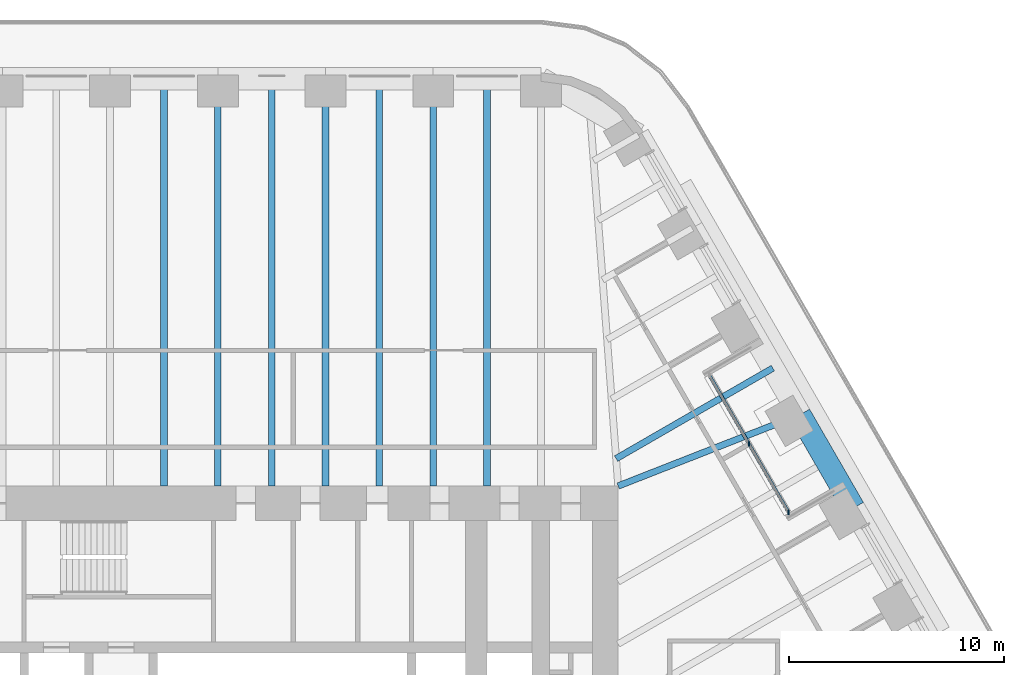
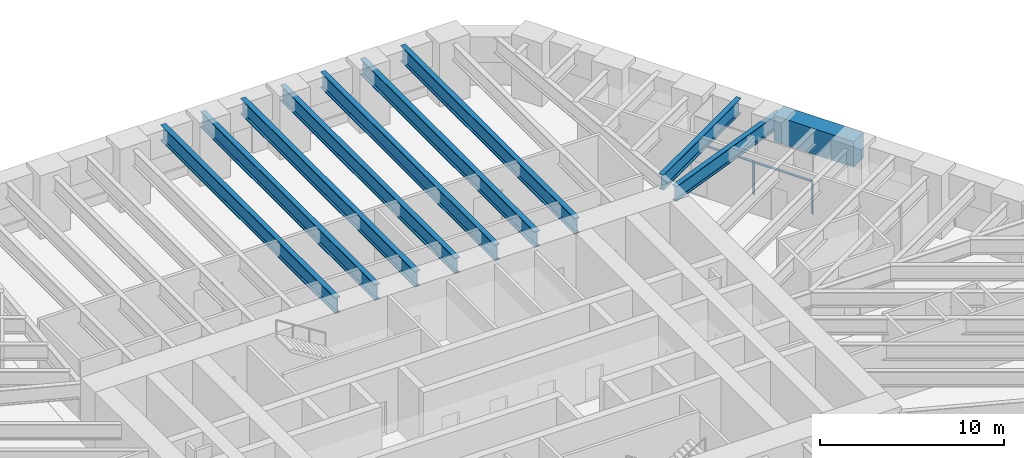
# One storey, part 8 of 19: 10 beams, 3 members, 1 element without a shape of its own.
"""IFC4 building model written with IfcOpenShell, lengths in metres."""

import ifcopenshell
import ifcopenshell.guid

model = None  # the IFC model being written
_history = None  # IfcOwnerHistory: only IFC2X3 demands one
_inside = {}  # id of a spatial element -> (the spatial element, [elements in it])
_under = {}  # id of a project, library or spatial element -> (it, [spatial elements below it])
_declared = {}  # id of a project -> (the project, [libraries it declares])
_typed = {}  # id of a type object -> (the type object, [elements of that type])
_made_of = {}  # id of a material, layer set ... -> (it, [elements and type objects made of it])


def new_model(schema):
    """Start an empty IFC model of exactly this schema.

    Asked for "IFC4X3", IfcOpenShell would pick the latest addendum, in which some entities
    have other attributes; the version numbers below select the first issue.
    IFC2X3 requires an IfcOwnerHistory on every rooted entity: one is made here for all.
    """
    global model, _history
    if schema == "IFC4X3":
        model = ifcopenshell.file(schema_version=(4, 3, 0, 0))
    else:
        model = ifcopenshell.file(schema=schema)
    _inside.clear()
    _under.clear()
    _declared.clear()
    _typed.clear()
    _made_of.clear()
    _history = None
    if model.schema == "IFC2X3":
        org = make("IfcOrganization", Name="unknown")
        user = make(
            "IfcPersonAndOrganization",
            ThePerson=make("IfcPerson", FamilyName="unknown"),
            TheOrganization=org,
        )
        app = make(
            "IfcApplication",
            ApplicationDeveloper=org,
            Version="unknown",
            ApplicationFullName="unknown",
            ApplicationIdentifier="unknown",
        )
        _history = make(
            "IfcOwnerHistory",
            OwningUser=user,
            OwningApplication=app,
            ChangeAction="ADDED",
            CreationDate=0,
        )
    return model


def make(cls, **values):
    """One entity of the class cls with the attributes given. An attribute that is None is left unset."""
    return model.create_entity(
        cls, **{name: value for name, value in values.items() if value is not None}
    )


def rooted(cls, **values):
    """An entity with a GlobalId (a new one), such as an element, a storey or a relation."""
    return make(cls, GlobalId=ifcopenshell.guid.new(), OwnerHistory=_history, **values)


def si_unit(unit_type, name, prefix=None):
    """IfcSIUnit, for example si_unit("LENGTHUNIT", "METRE", prefix="MILLI")."""
    return make("IfcSIUnit", UnitType=unit_type, Prefix=prefix, Name=name)


def assignment(units):
    """IfcUnitAssignment: the units of a project."""
    return None if units is None else make("IfcUnitAssignment", Units=units)


def point(xyz):
    """IfcCartesianPoint."""
    return None if xyz is None else make("IfcCartesianPoint", Coordinates=xyz)


def direction(xyz):
    """IfcDirection."""
    return None if xyz is None else make("IfcDirection", DirectionRatios=xyz)


def frame(location, z_axis=None, x_axis=None):
    """IfcAxis2Placement3D, a coordinate frame: its origin and axes. An axis left out is left unset."""
    return make(
        "IfcAxis2Placement3D",
        Location=point(location),
        Axis=direction(z_axis),
        RefDirection=direction(x_axis),
    )


def frame_2d(location, x_axis=None):
    """IfcAxis2Placement2D, a coordinate frame in the plane: its origin and x axis."""
    return make(
        "IfcAxis2Placement2D", Location=point(location), RefDirection=direction(x_axis)
    )


def origin():
    """The frame at (0, 0, 0) with its axes left unset."""
    return frame((0.0, 0.0, 0.0))


def origin_2d():
    """The frame at (0, 0) in the plane with its x axis left unset."""
    return frame_2d((0.0, 0.0))


def place(relative_to, where):
    """IfcLocalPlacement: puts the frame where relative to a parent placement (None: the world)."""
    return make(
        "IfcLocalPlacement", PlacementRelTo=relative_to, RelativePlacement=where
    )


def context(
    kind, dimensions, precision=None, world=None, true_north=None, identifier=None
):
    """IfcGeometricRepresentationContext, for example the 3D "Model" context."""
    return make(
        "IfcGeometricRepresentationContext",
        ContextIdentifier=identifier,
        ContextType=kind,
        CoordinateSpaceDimension=dimensions,
        Precision=precision,
        WorldCoordinateSystem=world,
        TrueNorth=true_north,
    )


def subcontext(parent, identifier, kind, view, scale=None):
    """IfcGeometricRepresentationSubContext, for example "Body" below "Model"."""
    return make(
        "IfcGeometricRepresentationSubContext",
        ContextIdentifier=identifier,
        ContextType=kind,
        ParentContext=parent,
        TargetScale=scale,
        TargetView=view,
    )


def project(units=None, contexts=None):
    """IfcProject with its units and contexts."""
    return rooted(
        "IfcProject",
        Name="project",
        RepresentationContexts=contexts,
        UnitsInContext=assignment(units),
    )


def spatial(cls, under=None, at=None, **own):
    """A site, building, storey or space (cls), placed at a placement, below another one or the project."""
    s = rooted(cls, ObjectPlacement=at, **own)
    if under is not None:
        _under.setdefault(under.id(), (under, []))[1].append(s)
    return s


def profile(cls, at=None, kind="AREA", **sizes):
    """A parametric profile (cls). Its sizes go by their IFC names, for example OverallWidth=200.0."""
    return make(cls, ProfileType=kind, Position=at, **sizes)


def rectangle(**sizes):
    """IfcRectangleProfileDef."""
    return profile("IfcRectangleProfileDef", **sizes)


def i_section(**sizes):
    """IfcIShapeProfileDef."""
    return profile("IfcIShapeProfileDef", **sizes)


def extrude(swept, where, along, depth):
    """IfcExtrudedAreaSolid: the profile swept, set in the frame where, extruded along a direction by depth."""
    return make(
        "IfcExtrudedAreaSolid",
        SweptArea=swept,
        Position=where,
        ExtrudedDirection=direction(along),
        Depth=depth,
    )


def shape(context_of_items, identifier, shape_type, items):
    """IfcShapeRepresentation: the items that make up one representation, for example the "Body"."""
    return make(
        "IfcShapeRepresentation",
        ContextOfItems=context_of_items,
        RepresentationIdentifier=identifier,
        RepresentationType=shape_type,
        Items=items,
    )


def material(Name=None, Category=None):
    """IfcMaterial."""
    return make("IfcMaterial", Name=Name, Category=Category)


def material_profile(
    of_material, cross_section, Name=None, Category=None, Priority=None
):
    """IfcMaterialProfile: a cross section and its material."""
    return make(
        "IfcMaterialProfile",
        Name=Name,
        Material=of_material,
        Profile=cross_section,
        Priority=Priority,
        Category=Category,
    )


def profile_set(profiles, Name=None, composite=None):
    """IfcMaterialProfileSet."""
    return make(
        "IfcMaterialProfileSet",
        Name=Name,
        MaterialProfiles=profiles,
        CompositeProfile=composite,
    )


def made_of(thing, what):
    """Note that an element or type object is made of a material, layer set ...; save() writes the relation."""
    if what is not None:
        _made_of.setdefault(what.id(), (what, []))[1].append(thing)
    return thing


def type_object(cls, material=None, **own):
    """A type object (cls), such as IfcWallType, which elements share."""
    return made_of(rooted(cls, **own), material)


def element(
    cls,
    number,
    at=None,
    inside=None,
    cuts=None,
    type_object=None,
    material=None,
    context=None,
    identifier="Body",
    shape_type=None,
    held_by="IfcProductDefinitionShape",
    body=None,
    shapes=None,
    **own,
):
    """One element of the class cls, such as IfcWall. Its Tag is "e" and its number.

    at: its placement. inside: the storey or other place that contains it. cuts: it is an
    opening in that element (IfcRelVoidsElement). A single representation is given by context,
    identifier, shape_type and body (its items); several are given by shapes. held_by: the class
    of the entity that holds the representations. save() writes the other relations.
    """
    e = rooted(cls, Tag="e%d" % number, ObjectPlacement=at, **own)
    if body is not None:
        shapes = [shape(context, identifier, shape_type, body)]
    if shapes is not None:
        e.Representation = make(held_by, Representations=shapes)
    if inside is not None:
        _inside.setdefault(inside.id(), (inside, []))[1].append(e)
    if cuts is not None:
        rooted(
            "IfcRelVoidsElement", RelatingBuildingElement=cuts, RelatedOpeningElement=e
        )
    if type_object is not None:
        _typed.setdefault(type_object.id(), (type_object, []))[1].append(e)
    return made_of(e, material)


def aggregate(whole, parts):
    """IfcRelAggregates: a whole, such as a stair, and the parts it consists of."""
    return rooted("IfcRelAggregates", RelatingObject=whole, RelatedObjects=parts)


def save(model, path):
    """Write the relations noted so far, then the file.

    IfcRelAggregates (storeys below a building ...), IfcRelContainedInSpatialStructure (elements
    in a storey), IfcRelDefinesByType, IfcRelAssociatesMaterial and IfcRelDeclares: one each for
    every whole, place, type object, material and project.
    """
    for whole, parts in _under.values():
        aggregate(whole, parts)
    for where, things in _inside.values():
        rooted(
            "IfcRelContainedInSpatialStructure",
            RelatedElements=things,
            RelatingStructure=where,
        )
    for kind, things in _typed.values():
        rooted("IfcRelDefinesByType", RelatedObjects=things, RelatingType=kind)
    for what, things in _made_of.values():
        rooted("IfcRelAssociatesMaterial", RelatedObjects=things, RelatingMaterial=what)
    for by, libraries in _declared.values():
        rooted("IfcRelDeclares", RelatingContext=by, RelatedDefinitions=libraries)
    model.write(path)


model = new_model("IFC4")

# Units and contexts
model_context = context("Model", 3, precision=1e-05, world=origin(), true_north=direction((0.0, 1.0)))
body_context = subcontext(model_context, "Body", "Model", "MODEL_VIEW")
ifc_project = project(units=[si_unit("LENGTHUNIT", "METRE"), si_unit("AREAUNIT", "SQUARE_METRE"), si_unit("VOLUMEUNIT", "CUBIC_METRE"), si_unit("PLANEANGLEUNIT", "RADIAN"), si_unit("MASSUNIT", "GRAM", prefix="KILO")], contexts=[model_context])

# Site, building, storey
site_placement = place(None, origin())
site = spatial("IfcSite", under=ifc_project, at=site_placement, CompositionType="ELEMENT")
building_placement = place(site_placement, origin())
building = spatial("IfcBuilding", under=site, at=building_placement, Name="Tarfa Lantern Tower", CompositionType="ELEMENT")
storey_placement = place(building_placement, frame((0.0, 0.0, 199.300048828125)))
storey = spatial("IfcBuildingStorey", under=building, at=storey_placement, Name="L45", CompositionType="ELEMENT", Elevation=199.300048828125)

# Curtain wall, members
ifc_material_1 = material(Name="Aluminium framed curtain wall", Category="aluminium")
curtain_wall_type = type_object("IfcCurtainWallType", Name="CW10 LOGGIA GLAZING 2200", PredefinedType="USERDEFINED", material=ifc_material_1)
curtain_wall_placement = place(storey_placement, origin())
curtain_wall = element("IfcCurtainWall", 1, at=curtain_wall_placement, inside=storey, type_object=curtain_wall_type, Name="CW10 NEL L45", ObjectType="CURTAIN WALL", PredefinedType="USERDEFINED")
ifc_material_2 = material(Name="Aluminium mullion", Category="aluminium")
ifc_material_profile_1 = material_profile(ifc_material_2, rectangle(XDim=0.06494140625, YDim=0.199951171875, at=origin_2d()), Name="AL MULLION 65x200")
ifc_profile_set_1 = profile_set([ifc_material_profile_1], Name="Aluminium mullion")
member_type_1 = type_object("IfcMemberType", Name="CWM1 MULLION 65x200", PredefinedType="MULLION", material=ifc_profile_set_1)
member_1_placement = place(storey_placement, frame((26.517333984375, 11.070556640625, 0.0), z_axis=(0.0, 0.0, 1.0), x_axis=(1.0, 0.0, 0.0)))
member_1 = element("IfcMember", 2, at=member_1_placement, type_object=member_type_1, Name="CW10 mullion 1", PredefinedType="MULLION", context=body_context, shape_type="SweptSolid", body=[
    extrude(rectangle(XDim=0.06494140625, YDim=0.199951171875, at=origin_2d()), origin(), (0.0, 0.0, 1.0), 2.199951171875),
])
member_2_placement = place(storey_placement, frame((24.681640625, 14.25, 0.0), z_axis=(0.0, 0.0, 1.0), x_axis=(1.0, 0.0, 0.0)))
member_2 = element("IfcMember", 3, at=member_2_placement, type_object=member_type_1, Name="CW10 mullion 2", PredefinedType="MULLION", context=body_context, shape_type="SweptSolid", body=[
    extrude(rectangle(XDim=0.06494140625, YDim=0.199951171875, at=origin_2d()), origin(), (0.0, 0.0, 1.0), 2.199951171875),
])
ifc_material_3 = material(Name="Aluminium transom", Category="aluminium")
ifc_material_profile_2 = material_profile(ifc_material_3, rectangle(XDim=0.14990234375, YDim=0.06494140625, at=origin_2d()), Name="AL TRANSOM 150x65")
ifc_profile_set_2 = profile_set([ifc_material_profile_2], Name="Aluminium transom")
member_type_2 = type_object("IfcMemberType", Name="CWT1 TRANSOM 150x65", PredefinedType="USERDEFINED", material=ifc_profile_set_2)
member_3_placement = place(storey_placement, frame((26.5009765625, 11.098876953125, 2.16748046875), z_axis=(-0.500007048974, 0.866021334019, 0.0), x_axis=(-0.866021334019, -0.500007048974, 0.0)))
member_3 = element("IfcMember", 4, at=member_3_placement, type_object=member_type_2, Name="CW10 transom 1.2", ObjectType="TRANSOM", PredefinedType="USERDEFINED", context=body_context, shape_type="SweptSolid", body=[
    extrude(rectangle(XDim=0.14990234375, YDim=0.06494140625, at=origin_2d()), origin(), (0.0, 0.0, 1.0), 7.27734375),
])
aggregate(curtain_wall, [member_1, member_2, member_3])

# Beams
ifc_material_4 = material(Name="Concrete C80/95", Category="concrete")
ifc_material_profile_3 = material_profile(ifc_material_4, rectangle(XDim=1.050048828125, YDim=1.699951171875, at=origin_2d()), Name="RC 1050x1700")
ifc_profile_set_3 = profile_set([ifc_material_profile_3], Name="Concrete C80/95")
beam_type_1 = type_object("IfcBeamType", Name="RB2 RC 1050x1700", PredefinedType="BEAM", material=ifc_profile_set_3)
beam_1_placement = place(storey_placement, frame((29.5390625, 11.276611328125, 3.050048828125), z_axis=(-0.499964603504, 0.866045838996, 0.0), x_axis=(-0.866045838996, -0.499964603504, 0.0)))
element("IfcBeam", 5, at=beam_1_placement, inside=storey, type_object=beam_type_1, Name="Edge beam NE2", PredefinedType="BEAM", context=body_context, shape_type="SweptSolid", body=[
    extrude(rectangle(XDim=1.050048828125, YDim=1.699951171875, at=origin_2d()), origin(), (0.0, 0.0, 1.0), 5.003662109375),
])
ifc_material_5 = material(Name="Steel S460M", Category="steel")
ifc_material_profile_4 = material_profile(ifc_material_5, i_section(OverallWidth=0.302001953125, OverallDepth=1.008056640625, WebThickness=0.02099609375, FlangeThickness=0.0400390625, FilletRadius=0.030029296875, at=origin_2d()), Name="UB1016x305x349")
ifc_profile_set_4 = profile_set([ifc_material_profile_4], Name="Steel S460M")
beam_type_2 = type_object("IfcBeamType", Name="UB1016x305x349", PredefinedType="BEAM", material=ifc_profile_set_4)
beam_2_placement = place(storey_placement, frame((27.037353515625, 15.610107421875, 3.39599609375), z_axis=(-0.930923282782, -0.365214788274, 0.0), x_axis=(0.365214788274, -0.930923282782, 0.0)))
element("IfcBeam", 6, at=beam_2_placement, inside=storey, type_object=beam_type_2, Name="Floor beam NE3", PredefinedType="BEAM", context=body_context, shape_type="SweptSolid", body=[
    extrude(i_section(OverallWidth=0.302001953125, OverallDepth=1.008056640625, WebThickness=0.02099609375, FlangeThickness=0.0400390625, FilletRadius=0.030029296875, at=origin_2d()), origin(), (0.0, 0.0, 1.0), 9.063232421875),
])
beam_3_placement = place(storey_placement, frame((25.786376953125, 17.776611328125, 3.39599609375), z_axis=(-0.86602796634, -0.499995561497, 0.0), x_axis=(0.499995561497, -0.86602796634, 0.0)))
element("IfcBeam", 7, at=beam_3_placement, inside=storey, type_object=beam_type_2, Name="Floor beam NE3M", PredefinedType="BEAM", context=body_context, shape_type="SweptSolid", body=[
    extrude(i_section(OverallWidth=0.302001953125, OverallDepth=1.008056640625, WebThickness=0.02099609375, FlangeThickness=0.0400390625, FilletRadius=0.030029296875, at=origin_2d()), origin(), (0.0, 0.0, 1.0), 8.40869140625),
])
ifc_material_profile_5 = material_profile(ifc_material_5, i_section(OverallWidth=0.314208984375, OverallDepth=1.055908203125, WebThickness=0.035888671875, FlangeThickness=0.06396484375, FilletRadius=0.030029296875, at=origin_2d()), Name="UB1016x305x584")
ifc_profile_set_5 = profile_set([ifc_material_profile_5], Name="Steel S460M")
beam_type_3 = type_object("IfcBeamType", Name="UB1016x305x584", PredefinedType="BEAM", material=ifc_profile_set_5)
for number, where, z_axis, x_axis, name in (
    (8, (10.00732421875, 31.219970703125, 3.3720703125), (0.0, -1.0, 0.0), (1.0, 0.0, 0.0), "Floor beam N1"),
    (9, (5.003662109375, 31.219970703125, 3.3720703125), (0.0, -1.0, 0.0), (1.0, 0.0, 0.0), "Floor beam N2"),
    (10, (0.0, 31.219970703125, 3.3720703125), (0.0, -1.0, 0.0), (1.0, 0.0, 0.0), "Floor beam N3"),
    (11, (12.50927734375, 31.219970703125, 3.3720703125), (0.0, -1.0, 0.0), (1.0, 0.0, 0.0), "Floor beam N0M"),
    (12, (7.505615234375, 31.219970703125, 3.3720703125), (0.0, -1.0, 0.0), (1.0, 0.0, 0.0), "Floor beam N1M"),
    (13, (2.501953125, 31.219970703125, 3.3720703125), (0.0, -1.0, 0.0), (1.0, 0.0, 0.0), "Floor beam N2M"),
    (14, (-2.501953125, 31.219970703125, 3.3720703125), (0.0, -1.0, 0.0), (1.0, 0.0, 0.0), "Floor beam N3M"),
):
    element("IfcBeam", number, at=place(storey_placement, frame(where, z_axis=z_axis, x_axis=x_axis)), inside=storey, type_object=beam_type_3, Name=name, PredefinedType="BEAM", context=body_context, shape_type="SweptSolid", body=[
        extrude(i_section(OverallWidth=0.314208984375, OverallDepth=1.055908203125, WebThickness=0.035888671875, FlangeThickness=0.06396484375, FilletRadius=0.030029296875, at=origin_2d()), origin(), (0.0, 0.0, 1.0), 18.919921875),
    ])

save(model, "model.ifc")
